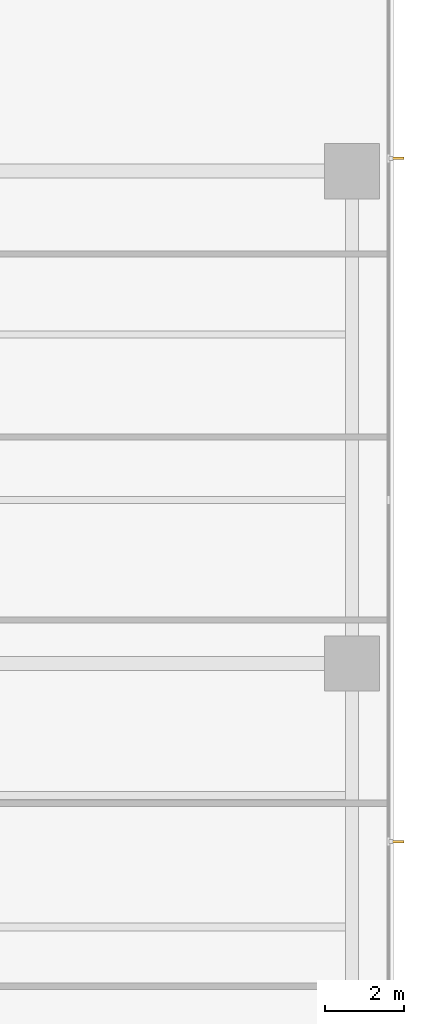
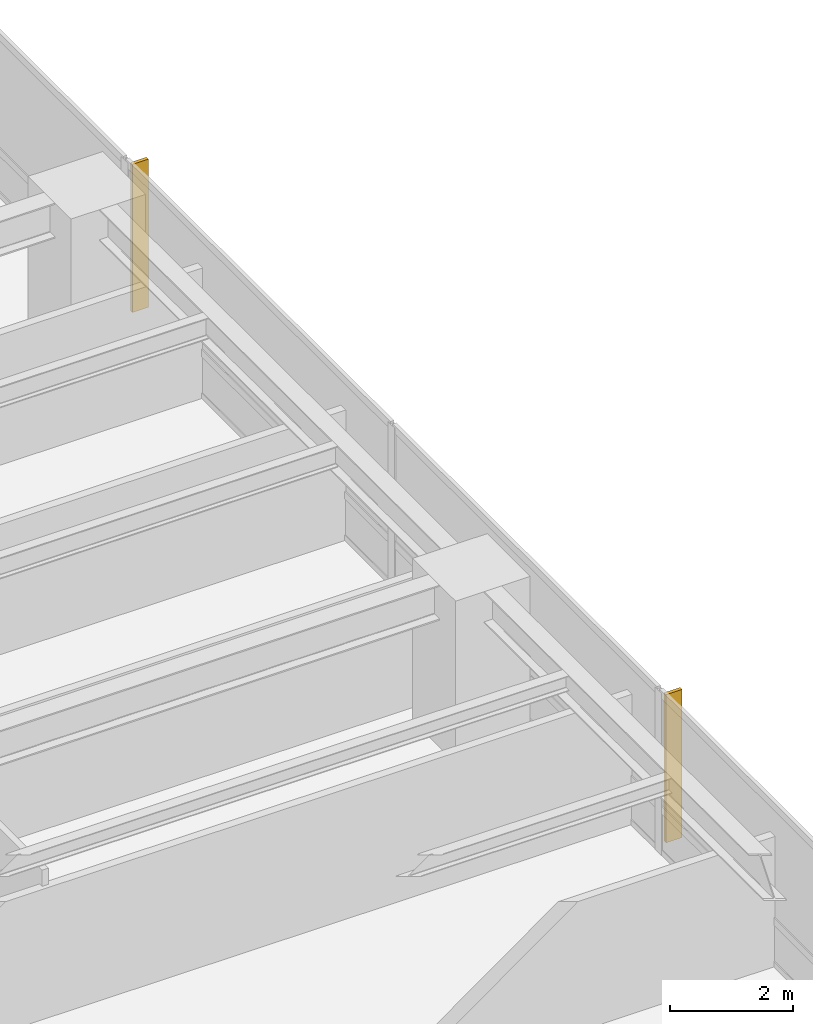
# One storey, part 16 of 17: 2 shading devices.
"""IFC4 building model written with IfcOpenShell, lengths in metres."""

import ifcopenshell
import ifcopenshell.guid

model = None  # the IFC model being written
_history = None  # IfcOwnerHistory: only IFC2X3 demands one
_inside = {}  # id of a spatial element -> (the spatial element, [elements in it])
_under = {}  # id of a project, library or spatial element -> (it, [spatial elements below it])
_declared = {}  # id of a project -> (the project, [libraries it declares])
_typed = {}  # id of a type object -> (the type object, [elements of that type])
_made_of = {}  # id of a material, layer set ... -> (it, [elements and type objects made of it])


def new_model(schema):
    """Start an empty IFC model of exactly this schema.

    Asked for "IFC4X3", IfcOpenShell would pick the latest addendum, in which some entities
    have other attributes; the version numbers below select the first issue.
    IFC2X3 requires an IfcOwnerHistory on every rooted entity: one is made here for all.
    """
    global model, _history
    if schema == "IFC4X3":
        model = ifcopenshell.file(schema_version=(4, 3, 0, 0))
    else:
        model = ifcopenshell.file(schema=schema)
    _inside.clear()
    _under.clear()
    _declared.clear()
    _typed.clear()
    _made_of.clear()
    _history = None
    if model.schema == "IFC2X3":
        org = make("IfcOrganization", Name="unknown")
        user = make(
            "IfcPersonAndOrganization",
            ThePerson=make("IfcPerson", FamilyName="unknown"),
            TheOrganization=org,
        )
        app = make(
            "IfcApplication",
            ApplicationDeveloper=org,
            Version="unknown",
            ApplicationFullName="unknown",
            ApplicationIdentifier="unknown",
        )
        _history = make(
            "IfcOwnerHistory",
            OwningUser=user,
            OwningApplication=app,
            ChangeAction="ADDED",
            CreationDate=0,
        )
    return model


def make(cls, **values):
    """One entity of the class cls with the attributes given. An attribute that is None is left unset."""
    return model.create_entity(
        cls, **{name: value for name, value in values.items() if value is not None}
    )


def rooted(cls, **values):
    """An entity with a GlobalId (a new one), such as an element, a storey or a relation."""
    return make(cls, GlobalId=ifcopenshell.guid.new(), OwnerHistory=_history, **values)


def si_unit(unit_type, name, prefix=None):
    """IfcSIUnit, for example si_unit("LENGTHUNIT", "METRE", prefix="MILLI")."""
    return make("IfcSIUnit", UnitType=unit_type, Prefix=prefix, Name=name)


def assignment(units):
    """IfcUnitAssignment: the units of a project."""
    return None if units is None else make("IfcUnitAssignment", Units=units)


def point(xyz):
    """IfcCartesianPoint."""
    return None if xyz is None else make("IfcCartesianPoint", Coordinates=xyz)


def direction(xyz):
    """IfcDirection."""
    return None if xyz is None else make("IfcDirection", DirectionRatios=xyz)


def frame(location, z_axis=None, x_axis=None):
    """IfcAxis2Placement3D, a coordinate frame: its origin and axes. An axis left out is left unset."""
    return make(
        "IfcAxis2Placement3D",
        Location=point(location),
        Axis=direction(z_axis),
        RefDirection=direction(x_axis),
    )


def origin():
    """The frame at (0, 0, 0) with its axes left unset."""
    return frame((0.0, 0.0, 0.0))


def place(relative_to, where):
    """IfcLocalPlacement: puts the frame where relative to a parent placement (None: the world)."""
    return make(
        "IfcLocalPlacement", PlacementRelTo=relative_to, RelativePlacement=where
    )


def context(
    kind, dimensions, precision=None, world=None, true_north=None, identifier=None
):
    """IfcGeometricRepresentationContext, for example the 3D "Model" context."""
    return make(
        "IfcGeometricRepresentationContext",
        ContextIdentifier=identifier,
        ContextType=kind,
        CoordinateSpaceDimension=dimensions,
        Precision=precision,
        WorldCoordinateSystem=world,
        TrueNorth=true_north,
    )


def subcontext(parent, identifier, kind, view, scale=None):
    """IfcGeometricRepresentationSubContext, for example "Body" below "Model"."""
    return make(
        "IfcGeometricRepresentationSubContext",
        ContextIdentifier=identifier,
        ContextType=kind,
        ParentContext=parent,
        TargetScale=scale,
        TargetView=view,
    )


def project(units=None, contexts=None):
    """IfcProject with its units and contexts."""
    return rooted(
        "IfcProject",
        Name="project",
        RepresentationContexts=contexts,
        UnitsInContext=assignment(units),
    )


def spatial(cls, under=None, at=None, **own):
    """A site, building, storey or space (cls), placed at a placement, below another one or the project."""
    s = rooted(cls, ObjectPlacement=at, **own)
    if under is not None:
        _under.setdefault(under.id(), (under, []))[1].append(s)
    return s


def polyline(points):
    """IfcPolyline through the points."""
    return make("IfcPolyline", Points=[point(p) for p in points])


def outline(outer, holes=None, kind="AREA"):
    """IfcArbitraryClosedProfileDef: a profile drawn as a closed curve; with holes, ...WithVoids."""
    if holes is None:
        return make("IfcArbitraryClosedProfileDef", ProfileType=kind, OuterCurve=outer)
    return make(
        "IfcArbitraryProfileDefWithVoids",
        ProfileType=kind,
        OuterCurve=outer,
        InnerCurves=holes,
    )


def extrude(swept, where, along, depth):
    """IfcExtrudedAreaSolid: the profile swept, set in the frame where, extruded along a direction by depth."""
    return make(
        "IfcExtrudedAreaSolid",
        SweptArea=swept,
        Position=where,
        ExtrudedDirection=direction(along),
        Depth=depth,
    )


def shape(context_of_items, identifier, shape_type, items):
    """IfcShapeRepresentation: the items that make up one representation, for example the "Body"."""
    return make(
        "IfcShapeRepresentation",
        ContextOfItems=context_of_items,
        RepresentationIdentifier=identifier,
        RepresentationType=shape_type,
        Items=items,
    )


def material(Name=None, Category=None):
    """IfcMaterial."""
    return make("IfcMaterial", Name=Name, Category=Category)


def layer(
    of_material, thickness, ventilated=None, Name=None, Category=None, Priority=None
):
    """IfcMaterialLayer: one layer of a wall or slab, of a material (None: an air gap)."""
    return make(
        "IfcMaterialLayer",
        Material=of_material,
        LayerThickness=thickness,
        IsVentilated=ventilated,
        Name=Name,
        Category=Category,
        Priority=Priority,
    )


def layer_set(layers, Name=None):
    """IfcMaterialLayerSet."""
    return make("IfcMaterialLayerSet", MaterialLayers=layers, LayerSetName=Name)


def made_of(thing, what):
    """Note that an element or type object is made of a material, layer set ...; save() writes the relation."""
    if what is not None:
        _made_of.setdefault(what.id(), (what, []))[1].append(thing)
    return thing


def type_object(cls, material=None, **own):
    """A type object (cls), such as IfcWallType, which elements share."""
    return made_of(rooted(cls, **own), material)


def element(
    cls,
    number,
    at=None,
    inside=None,
    cuts=None,
    type_object=None,
    material=None,
    context=None,
    identifier="Body",
    shape_type=None,
    held_by="IfcProductDefinitionShape",
    body=None,
    shapes=None,
    **own,
):
    """One element of the class cls, such as IfcWall. Its Tag is "e" and its number.

    at: its placement. inside: the storey or other place that contains it. cuts: it is an
    opening in that element (IfcRelVoidsElement). A single representation is given by context,
    identifier, shape_type and body (its items); several are given by shapes. held_by: the class
    of the entity that holds the representations. save() writes the other relations.
    """
    e = rooted(cls, Tag="e%d" % number, ObjectPlacement=at, **own)
    if body is not None:
        shapes = [shape(context, identifier, shape_type, body)]
    if shapes is not None:
        e.Representation = make(held_by, Representations=shapes)
    if inside is not None:
        _inside.setdefault(inside.id(), (inside, []))[1].append(e)
    if cuts is not None:
        rooted(
            "IfcRelVoidsElement", RelatingBuildingElement=cuts, RelatedOpeningElement=e
        )
    if type_object is not None:
        _typed.setdefault(type_object.id(), (type_object, []))[1].append(e)
    return made_of(e, material)


def aggregate(whole, parts):
    """IfcRelAggregates: a whole, such as a stair, and the parts it consists of."""
    return rooted("IfcRelAggregates", RelatingObject=whole, RelatedObjects=parts)


def save(model, path):
    """Write the relations noted so far, then the file.

    IfcRelAggregates (storeys below a building ...), IfcRelContainedInSpatialStructure (elements
    in a storey), IfcRelDefinesByType, IfcRelAssociatesMaterial and IfcRelDeclares: one each for
    every whole, place, type object, material and project.
    """
    for whole, parts in _under.values():
        aggregate(whole, parts)
    for where, things in _inside.values():
        rooted(
            "IfcRelContainedInSpatialStructure",
            RelatedElements=things,
            RelatingStructure=where,
        )
    for kind, things in _typed.values():
        rooted("IfcRelDefinesByType", RelatedObjects=things, RelatingType=kind)
    for what, things in _made_of.values():
        rooted("IfcRelAssociatesMaterial", RelatedObjects=things, RelatingMaterial=what)
    for by, libraries in _declared.values():
        rooted("IfcRelDeclares", RelatingContext=by, RelatedDefinitions=libraries)
    model.write(path)


model = new_model("IFC4")

# Units and contexts
model_context = context("Model", 3, precision=1e-05, world=origin(), true_north=direction((0.0, 1.0)))
body_context = subcontext(model_context, "Body", "Model", "MODEL_VIEW")
ifc_project = project(units=[si_unit("LENGTHUNIT", "METRE"), si_unit("AREAUNIT", "SQUARE_METRE"), si_unit("VOLUMEUNIT", "CUBIC_METRE"), si_unit("PLANEANGLEUNIT", "RADIAN"), si_unit("MASSUNIT", "GRAM", prefix="KILO")], contexts=[model_context])

# Site, building, storey
site_placement = place(None, origin())
site = spatial("IfcSite", under=ifc_project, at=site_placement, CompositionType="ELEMENT")
building_placement = place(site_placement, origin())
building = spatial("IfcBuilding", under=site, at=building_placement, Name="Qalmaran Belvedere Hotel", CompositionType="ELEMENT")
storey_placement = place(building_placement, frame((0.0, 0.0, 61.39990234375)))
storey = spatial("IfcBuildingStorey", under=building, at=storey_placement, Name="L15", CompositionType="ELEMENT", Elevation=61.39990234375)

# Shading devices
ifc_material = material(Name="Anodised Bronze Aluminium", Category="aluminium")
ifc_layer = layer(ifc_material, 0.06494140625, Name="Anodised Bronze Aluminium")
ifc_layer_set = layer_set([ifc_layer], Name="Anodised Bronze Aluminium")
shading_device_type = type_object("IfcShadingDeviceType", Name="FIN-BRNZ-300", PredefinedType="USERDEFINED", material=ifc_layer_set)
shading_device_1_placement = place(storey_placement, frame((0.0, 0.0, 0.16015625)))
element("IfcShadingDevice", 1, at=shading_device_1_placement, inside=storey, type_object=shading_device_type, Name="L15 Bronze Fin 1", ObjectType="FIN", PredefinedType="USERDEFINED", context=body_context, shape_type="SweptSolid", body=[
    extrude(outline(polyline([(61.7724609375, 15.9423828125), (62.072509765625, 15.9423828125), (62.072509765625, 16.007568359375), (61.7724609375, 16.007568359375), (61.7724609375, 15.9423828125)])), origin(), (0.0, 0.0, 1.0), 2.93994140625),
])
shading_device_2_placement = place(storey_placement, frame((0.0, 0.0, 0.16015625)))
element("IfcShadingDevice", 2, at=shading_device_2_placement, inside=storey, type_object=shading_device_type, Name="L15 Bronze Fin 3", ObjectType="FIN", PredefinedType="USERDEFINED", context=body_context, shape_type="SweptSolid", body=[
    extrude(outline(polyline([(61.7724609375, 33.29248046875), (62.072509765625, 33.29248046875), (62.072509765625, 33.357421875), (61.7724609375, 33.357421875), (61.7724609375, 33.29248046875)])), origin(), (0.0, 0.0, 1.0), 2.93994140625),
])

save(model, "model.ifc")
